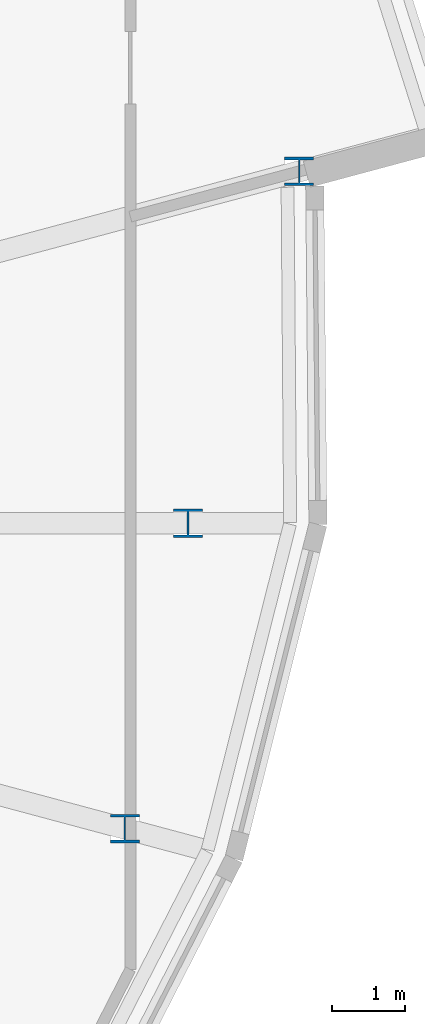
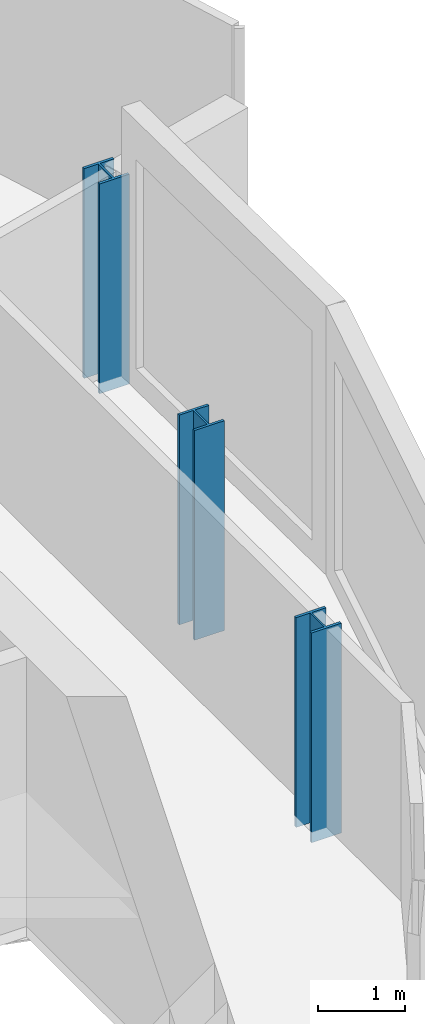
# One storey, part 2 of 36: 3 columns.
"""IFC4 building model written with IfcOpenShell, lengths in metres."""

from ifc_helpers import new_model, si_unit, direction, frame, origin, origin_2d, place, context, subcontext, project, spatial, i_section, extrude, material, material_profile, profile_set, type_object, element, save


model = new_model("IFC4")

# Units and contexts
model_context = context("Model", 3, precision=1e-05, world=origin(), true_north=direction((0.0, 1.0)))
body_context = subcontext(model_context, "Body", "Model", "MODEL_VIEW")
ifc_project = project(units=[si_unit("LENGTHUNIT", "METRE"), si_unit("AREAUNIT", "SQUARE_METRE"), si_unit("VOLUMEUNIT", "CUBIC_METRE"), si_unit("PLANEANGLEUNIT", "RADIAN"), si_unit("MASSUNIT", "GRAM", prefix="KILO")], contexts=[model_context])

# Site, building, storey
site_placement = place(None, origin())
site = spatial("IfcSite", under=ifc_project, at=site_placement, CompositionType="ELEMENT")
building_placement = place(site_placement, origin())
building = spatial("IfcBuilding", under=site, at=building_placement, Name="Rimbun Link Towers", CompositionType="ELEMENT")
storey_placement = place(building_placement, frame((0.0, 0.0, 193.10009765625)))
storey = spatial("IfcBuildingStorey", under=building, at=storey_placement, Name="L47", CompositionType="ELEMENT", Elevation=193.10009765625)

# Columns
ifc_material = material(Name="Steel S355J2", Category="steel")
ifc_material_profile = material_profile(ifc_material, i_section(OverallWidth=0.39892578125, OverallDepth=0.3935546875, WebThickness=0.022705078125, FlangeThickness=0.03662109375, at=origin_2d()), Name="UC 356x406x287")
ifc_profile_set = profile_set([ifc_material_profile], Name="Steel S355J2")
column_type = type_object("IfcColumnType", Name="UC 356x406x287", PredefinedType="COLUMN", material=ifc_profile_set)
for number, where, z_axis, x_axis, name in (
    (1, (47.448974609375, -4.20654296875, -0.150146484375), (0.0, 0.0, 1.0), (1.0, 0.0, 0.0), "Crease post T2 L47 20"),
    (2, (48.319580078125, 0.0, -0.150146484375), (0.0, 0.0, 1.0), (1.0, 0.0, 0.0), "Crease post T2 L47 21"),
    (3, (49.851318359375, 4.85009765625, -0.150146484375), (0.0, 0.0, 1.0), (1.0, 0.0, 0.0), "Crease post T2 L47 22"),
):
    element("IfcColumn", number, at=place(storey_placement, frame(where, z_axis=z_axis, x_axis=x_axis)), inside=storey, type_object=column_type, Name=name, PredefinedType="COLUMN", context=body_context, shape_type="SweptSolid", body=[
        extrude(i_section(OverallWidth=0.39892578125, OverallDepth=0.3935546875, WebThickness=0.022705078125, FlangeThickness=0.03662109375, at=origin_2d()), origin(), (0.0, 0.0, 1.0), 2.959228515625),
    ])

save(model, "model.ifc")
